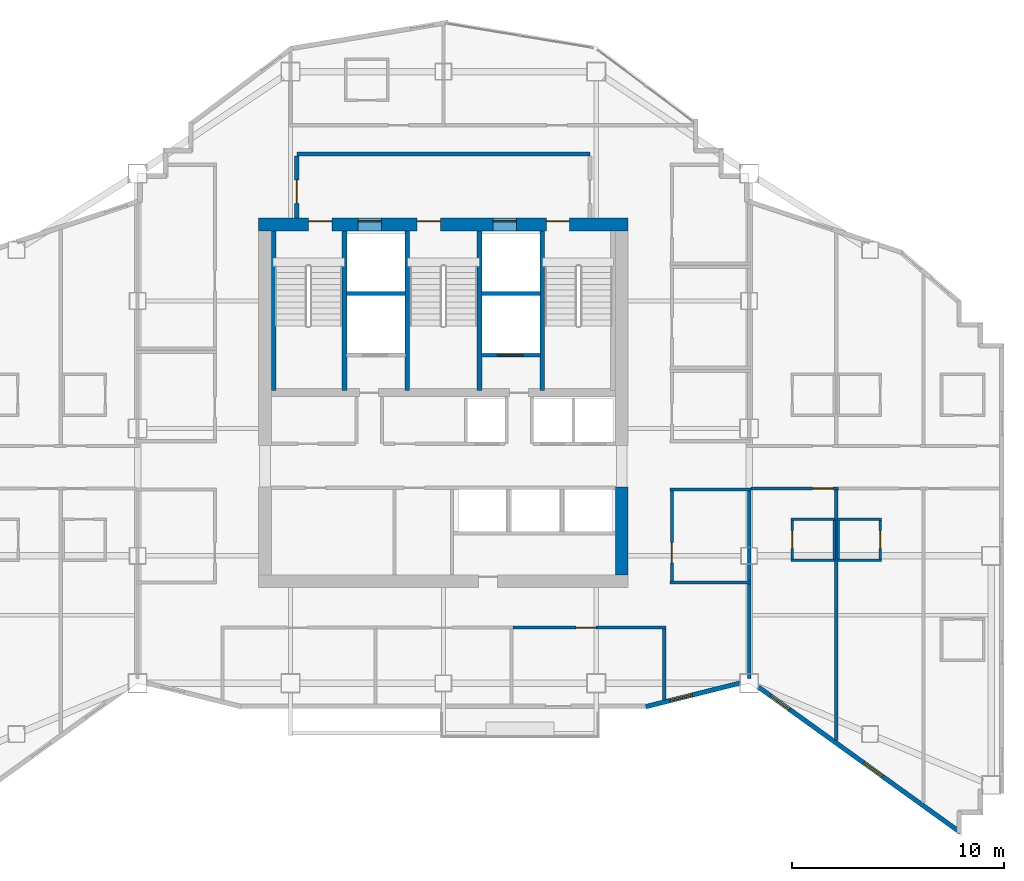
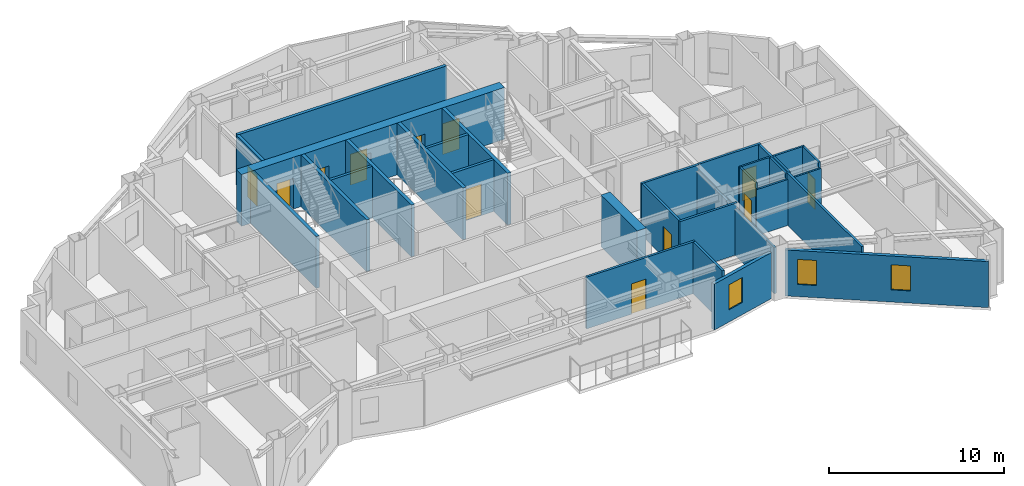
# One storey, part 7 of 11: 31 walls, 12 doors, 3 windows, 15 openings.
"""IFC4 building model written with IfcOpenShell, lengths in metres."""

from ifc_helpers import new_model, si_unit, direction, frame, frame_2d, origin, place, context, subcontext, project, spatial, rectangle, extrude, material, layer, layer_set, type_object, element, fill, save


model = new_model("IFC4")

# Units and contexts
model_context = context("Model", 3, precision=1e-05, world=origin(), true_north=direction((0.0, 1.0)))
body_context = subcontext(model_context, "Body", "Model", "MODEL_VIEW")
ifc_project = project(units=[si_unit("LENGTHUNIT", "METRE"), si_unit("AREAUNIT", "SQUARE_METRE"), si_unit("VOLUMEUNIT", "CUBIC_METRE"), si_unit("PLANEANGLEUNIT", "RADIAN"), si_unit("MASSUNIT", "GRAM", prefix="KILO")], contexts=[model_context])

# Site, building, storey
site_placement = place(None, origin())
site = spatial("IfcSite", under=ifc_project, at=site_placement, CompositionType="ELEMENT")
building_placement = place(site_placement, origin())
building = spatial("IfcBuilding", under=site, at=building_placement, Name="Haolan Belvedere Tower", CompositionType="ELEMENT")
storey_placement = place(building_placement, frame((0.0, 0.0, 223.0)))
storey = spatial("IfcBuildingStorey", under=building, at=storey_placement, Name="L56", CompositionType="ELEMENT", Elevation=223.0)

# Wall, openings, doors
ifc_material_1 = material(Name="Concrete C60/75", Category="concrete")
ifc_layer_1 = layer(ifc_material_1, 0.60009765625, Name="Concrete C60/75")
ifc_layer_set_1 = layer_set([ifc_layer_1], Name="Concrete C60/75")
wall_type_1 = type_object("IfcWallType", Name="WL-CORE-600", PredefinedType="SHEAR", material=ifc_layer_set_1)
wall_1_placement = place(storey_placement, frame((29.699951171875, 43.199951171875, 0.0), z_axis=(0.0, 0.0, 1.0), x_axis=(1.0, 0.0, 0.0)))
wall_1 = element("IfcWall", 1, at=wall_1_placement, inside=storey, type_object=wall_type_1, Name="L56 central core north shear wall", PredefinedType="SHEAR", context=body_context, shape_type="SweptSolid", body=[
    extrude(rectangle(XDim=17.400146484375, YDim=0.60009765625, at=frame_2d((8.7001953125, 0.0))), origin(), (0.0, 0.0, 1.0), 3.6201171875),
])
opening_1_placement = place(wall_1_placement, frame((2.35009765625, 0.0, 0.0)))
opening_1 = element("IfcOpeningElement", 2, at=opening_1_placement, cuts=wall_1, Name="Opening FD-03", PredefinedType="OPENING", context=body_context, shape_type="SweptSolid", body=[
    extrude(rectangle(XDim=1.10009765625, YDim=2.14990234375, at=frame_2d((0.550048828125, 1.074951171875))), frame((0.0, 0.31005859375, 0.0), z_axis=(0.0, -1.0, 0.0), x_axis=(1.0, 0.0, 0.0)), (0.0, 0.0, 1.0), 0.6201171875),
])
opening_2_placement = place(wall_1_placement, frame((7.4599609375, 0.0, 0.0)))
opening_2 = element("IfcOpeningElement", 3, at=opening_2_placement, cuts=wall_1, Name="Opening FD-03", PredefinedType="OPENING", context=body_context, shape_type="SweptSolid", body=[
    extrude(rectangle(XDim=1.10009765625, YDim=2.14990234375, at=frame_2d((0.550048828125, 1.074951171875))), frame((0.0, 0.31005859375, 0.0), z_axis=(0.0, -1.0, 0.0), x_axis=(1.0, 0.0, 0.0)), (0.0, 0.0, 1.0), 0.6201171875),
])
opening_3_placement = place(wall_1_placement, frame((13.550048828125, 0.0, 0.0)))
opening_3 = element("IfcOpeningElement", 4, at=opening_3_placement, cuts=wall_1, Name="Opening FD-03", PredefinedType="OPENING", context=body_context, shape_type="SweptSolid", body=[
    extrude(rectangle(XDim=1.10009765625, YDim=2.14990234375, at=frame_2d((0.550048828125, 1.074951171875))), frame((0.0, 0.31005859375, 0.0), z_axis=(0.0, -1.0, 0.0), x_axis=(1.0, 0.0, 0.0)), (0.0, 0.0, 1.0), 0.6201171875),
])
opening_4_placement = place(wall_1_placement, frame((4.679931640625, 0.0, 0.0)))
opening_4 = element("IfcOpeningElement", 5, at=opening_4_placement, cuts=wall_1, Name="Opening LD-01", PredefinedType="OPENING", context=body_context, shape_type="SweptSolid", body=[
    extrude(rectangle(XDim=1.10009765625, YDim=2.199951171875, at=frame_2d((0.550048828125, 1.10009765625))), frame((0.0, 0.31005859375, 0.0), z_axis=(0.0, -1.0, 0.0), x_axis=(1.0, 0.0, 0.0)), (0.0, 0.0, 1.0), 0.6201171875),
])
opening_5_placement = place(wall_1_placement, frame((11.0400390625, 0.0, 0.0)))
opening_5 = element("IfcOpeningElement", 6, at=opening_5_placement, cuts=wall_1, Name="Opening LD-01", PredefinedType="OPENING", context=body_context, shape_type="SweptSolid", body=[
    extrude(rectangle(XDim=1.10009765625, YDim=2.199951171875, at=frame_2d((0.550048828125, 1.10009765625))), frame((0.0, 0.31005859375, 0.0), z_axis=(0.0, -1.0, 0.0), x_axis=(1.0, 0.0, 0.0)), (0.0, 0.0, 1.0), 0.6201171875),
])
ifc_material_2 = material(Name="Galvanised fire-rated steel", Category="steel")
door_type_1 = type_object("IfcDoorType", Name="DR-FD90-1100", OperationType="NOTDEFINED", PredefinedType="DOOR", material=ifc_material_2)
door_1_placement = place(opening_1_placement, origin())
door_1 = element("IfcDoor", 7, at=door_1_placement, inside=storey, type_object=door_type_1, Name="L56 door CD-L56-ST1", OperationType="SINGLE_SWING_LEFT", OverallHeight=2.14990234375, OverallWidth=1.10009765625, PredefinedType="DOOR", context=body_context, shape_type="SweptSolid", body=[
    extrude(rectangle(XDim=1.10009765625, YDim=2.14990234375, at=frame_2d((0.550048828125, 1.074951171875))), frame((0.0, 0.18505859375, 0.0), z_axis=(0.0, -1.0, 0.0), x_axis=(1.0, 0.0, 0.0)), (0.0, 0.0, 1.0), 0.050048828125),
])
fill(opening_1, door_1)
door_2_placement = place(opening_2_placement, origin())
door_2 = element("IfcDoor", 8, at=door_2_placement, inside=storey, type_object=door_type_1, Name="L56 door CD-L56-ST3", OperationType="SINGLE_SWING_LEFT", OverallHeight=2.14990234375, OverallWidth=1.10009765625, PredefinedType="DOOR", context=body_context, shape_type="SweptSolid", body=[
    extrude(rectangle(XDim=1.10009765625, YDim=2.14990234375, at=frame_2d((0.550048828125, 1.074951171875))), frame((0.0, 0.18505859375, 0.0), z_axis=(0.0, -1.0, 0.0), x_axis=(1.0, 0.0, 0.0)), (0.0, 0.0, 1.0), 0.050048828125),
])
fill(opening_2, door_2)
door_3_placement = place(opening_3_placement, origin())
door_3 = element("IfcDoor", 9, at=door_3_placement, inside=storey, type_object=door_type_1, Name="L56 door CD-L56-ST2", OperationType="SINGLE_SWING_RIGHT", OverallHeight=2.14990234375, OverallWidth=1.10009765625, PredefinedType="DOOR", context=body_context, shape_type="SweptSolid", body=[
    extrude(rectangle(XDim=1.10009765625, YDim=2.14990234375, at=frame_2d((0.550048828125, 1.074951171875))), frame((0.0, 0.18505859375, 0.0), z_axis=(0.0, -1.0, 0.0), x_axis=(1.0, 0.0, 0.0)), (0.0, 0.0, 1.0), 0.050048828125),
])
fill(opening_3, door_3)
ifc_material_3 = material(Name="Brushed champagne stainless steel 316L", Category="steel")
door_type_2 = type_object("IfcDoorType", Name="DR-LIFT-1100", OperationType="SLIDING_TO_LEFT", PredefinedType="DOOR", material=ifc_material_3)
door_4_placement = place(opening_4_placement, origin())
door_4 = element("IfcDoor", 10, at=door_4_placement, inside=storey, type_object=door_type_2, Name="L56 door LD-L56-FF1", OperationType="SLIDING_TO_LEFT", OverallHeight=2.199951171875, OverallWidth=1.10009765625, PredefinedType="DOOR", context=body_context, shape_type="SweptSolid", body=[
    extrude(rectangle(XDim=1.10009765625, YDim=2.199951171875, at=frame_2d((0.550048828125, 1.10009765625))), frame((0.0, 0.18505859375, 0.0), z_axis=(0.0, -1.0, 0.0), x_axis=(1.0, 0.0, 0.0)), (0.0, 0.0, 1.0), 0.050048828125),
])
fill(opening_4, door_4)
door_5_placement = place(opening_5_placement, origin())
door_5 = element("IfcDoor", 11, at=door_5_placement, inside=storey, type_object=door_type_2, Name="L56 door LD-L56-FF2", OperationType="SLIDING_TO_LEFT", OverallHeight=2.199951171875, OverallWidth=1.10009765625, PredefinedType="DOOR", context=body_context, shape_type="SweptSolid", body=[
    extrude(rectangle(XDim=1.10009765625, YDim=2.199951171875, at=frame_2d((0.550048828125, 1.10009765625))), frame((0.0, 0.18505859375, 0.0), z_axis=(0.0, -1.0, 0.0), x_axis=(1.0, 0.0, 0.0)), (0.0, 0.0, 1.0), 0.050048828125),
])
fill(opening_5, door_5)

# Wall
wall_2_placement = place(storey_placement, frame((46.800048828125, 26.699951171875, 0.0), z_axis=(0.0, 0.0, 1.0), x_axis=(0.0, 1.0, 0.0)))
element("IfcWall", 12, at=wall_2_placement, inside=storey, type_object=wall_type_1, Name="L56 central core shear wall ES", PredefinedType="SHEAR", context=body_context, shape_type="SweptSolid", body=[
    extrude(rectangle(XDim=4.150146484375, YDim=0.60009765625, at=frame_2d((2.0751953125, 0.0))), origin(), (0.0, 0.0, 1.0), 3.6201171875),
])

# Wall, opening, window
ifc_material_4 = material(Name="Precast concrete C40/50", Category="concrete")
ifc_layer_2 = layer(ifc_material_4, 0.219970703125, Name="Precast concrete C40/50")
ifc_layer_set_2 = layer_set([ifc_layer_2], Name="Precast concrete C40/50")
wall_type_2 = type_object("IfcWallType", Name="WL-EXT-220", PredefinedType="SOLIDWALL", material=ifc_layer_set_2)
wall_3_placement = place(storey_placement, frame((47.93310546875, 20.49658203125, 0.0), z_axis=(0.0, 0.0, 1.0), x_axis=(0.970142500145, 0.242535625036, 0.0)))
wall_3 = element("IfcWall", 13, at=wall_3_placement, inside=storey, type_object=wall_type_2, Name="L56 pale-metal exterior spandrel wall 2.1", PredefinedType="SOLIDWALL", context=body_context, shape_type="SweptSolid", body=[
    extrude(rectangle(XDim=4.56103515625, YDim=0.219970703125, at=frame_2d((2.280517578125, 0.0))), origin(), (0.0, 0.0, 1.0), 3.215087890625),
])
opening_6_placement = place(wall_3_placement, frame((1.154052734375, 0.0, 0.85009765625)))
opening_6 = element("IfcOpeningElement", 14, at=opening_6_placement, cuts=wall_3, Name="Opening W-03", PredefinedType="OPENING", context=body_context, shape_type="SweptSolid", body=[
    extrude(rectangle(XDim=1.10009765625, YDim=1.75, at=frame_2d((0.550048828125, 0.875))), frame((0.0, 0.119873046875, 0.0), z_axis=(0.0, -1.0, 0.0), x_axis=(1.0, 0.0, 0.0)), (0.0, 0.0, 1.0), 0.239990234375),
])
ifc_material_5 = material(Name="Anodised aluminium 6063-T6 and Low-E glass", Category="aluminium")
window_type = type_object("IfcWindowType", Name="WN-DECO-Z3", PartitioningType="SINGLE_PANEL", PredefinedType="WINDOW", material=ifc_material_5)
window_1_placement = place(opening_6_placement, origin())
window_1 = element("IfcWindow", 15, at=window_1_placement, inside=storey, type_object=window_type, Name="L56 Art Deco chevron window 1", OverallHeight=1.75, OverallWidth=1.10009765625, PartitioningType="SINGLE_PANEL", PredefinedType="WINDOW", context=body_context, shape_type="SweptSolid", body=[
    extrude(rectangle(XDim=1.10009765625, YDim=1.75, at=frame_2d((0.550048828125, 0.875))), frame((0.0, 0.030029296875, 0.0), z_axis=(0.0, -1.0, 0.0), x_axis=(1.0, 0.0, 0.0)), (0.0, 0.0, 1.0), 0.06005859375),
])
fill(opening_6, window_1)

# Wall, openings, windows
wall_4_placement = place(storey_placement, frame((53.241943359375, 21.417236328125, 0.0), z_axis=(0.0, 0.0, 1.0), x_axis=(0.811534737332, -0.58430417601, 0.0)))
wall_4 = element("IfcWall", 16, at=wall_4_placement, inside=storey, type_object=wall_type_2, Name="L56 pale-metal exterior spandrel wall 3.1", PredefinedType="SOLIDWALL", context=body_context, shape_type="SweptSolid", body=[
    extrude(rectangle(XDim=11.697265625, YDim=0.219970703125, at=frame_2d((5.8486328125, 0.0))), origin(), (0.0, 0.0, 1.0), 3.215087890625),
])
opening_7_placement = place(wall_4_placement, frame((0.699951171875, 0.0, 0.85009765625)))
opening_7 = element("IfcOpeningElement", 17, at=opening_7_placement, cuts=wall_4, Name="Opening W-03", PredefinedType="OPENING", context=body_context, shape_type="SweptSolid", body=[
    extrude(rectangle(XDim=1.10009765625, YDim=1.75, at=frame_2d((0.550048828125, 0.875))), frame((0.0, 0.119873046875, 0.0), z_axis=(0.0, -1.0, 0.0), x_axis=(1.0, 0.0, 0.0)), (0.0, 0.0, 1.0), 0.239990234375),
])
opening_8_placement = place(wall_4_placement, frame((6.10009765625, 0.0, 0.85009765625)))
opening_8 = element("IfcOpeningElement", 18, at=opening_8_placement, cuts=wall_4, Name="Opening W-03", PredefinedType="OPENING", context=body_context, shape_type="SweptSolid", body=[
    extrude(rectangle(XDim=1.10009765625, YDim=1.75, at=frame_2d((0.550048828125, 0.875))), frame((0.0, 0.119873046875, 0.0), z_axis=(0.0, -1.0, 0.0), x_axis=(1.0, 0.0, 0.0)), (0.0, 0.0, 1.0), 0.239990234375),
])
window_2_placement = place(opening_7_placement, origin())
window_2 = element("IfcWindow", 19, at=window_2_placement, inside=storey, type_object=window_type, Name="L56 Art Deco chevron window 1", OverallHeight=1.75, OverallWidth=1.10009765625, PartitioningType="SINGLE_PANEL", PredefinedType="WINDOW", context=body_context, shape_type="SweptSolid", body=[
    extrude(rectangle(XDim=1.10009765625, YDim=1.75, at=frame_2d((0.550048828125, 0.875))), frame((0.0, 0.030029296875, 0.0), z_axis=(0.0, -1.0, 0.0), x_axis=(1.0, 0.0, 0.0)), (0.0, 0.0, 1.0), 0.06005859375),
])
fill(opening_7, window_2)
window_3_placement = place(opening_8_placement, origin())
window_3 = element("IfcWindow", 20, at=window_3_placement, inside=storey, type_object=window_type, Name="L56 Art Deco chevron window 2", OverallHeight=1.75, OverallWidth=1.10009765625, PartitioningType="SINGLE_PANEL", PredefinedType="WINDOW", context=body_context, shape_type="SweptSolid", body=[
    extrude(rectangle(XDim=1.10009765625, YDim=1.75, at=frame_2d((0.550048828125, 0.875))), frame((0.0, 0.030029296875, 0.0), z_axis=(0.0, -1.0, 0.0), x_axis=(1.0, 0.0, 0.0)), (0.0, 0.0, 1.0), 0.06005859375),
])
fill(opening_8, window_3)

# Wall
ifc_material_6 = material(Name="Concrete C40/50", Category="concrete")
ifc_layer_3 = layer(ifc_material_6, 0.199951171875, Name="Concrete C40/50")
ifc_layer_set_3 = layer_set([ifc_layer_3], Name="Concrete C40/50")
wall_type_3 = type_object("IfcWallType", Name="WL-FIRE-200", PredefinedType="SOLIDWALL", material=ifc_layer_set_3)
wall_5_placement = place(storey_placement, frame((31.5, 46.52001953125, 0.0), z_axis=(0.0, 0.0, 1.0), x_axis=(1.0, 0.0, 0.0)))
element("IfcWall", 21, at=wall_5_placement, inside=storey, type_object=wall_type_3, Name="L56 interior partition IW-L56-FFL-N", PredefinedType="SOLIDWALL", context=body_context, shape_type="SweptSolid", body=[
    extrude(rectangle(XDim=13.800048828125, YDim=0.199951171875, at=frame_2d((6.89990234375, 0.0))), origin(), (0.0, 0.0, 1.0), 3.6201171875),
])

# Wall, opening, door
wall_6_placement = place(storey_placement, frame((31.5, 43.5, 0.0), z_axis=(0.0, 0.0, 1.0), x_axis=(0.0, 1.0, 0.0)))
wall_6 = element("IfcWall", 22, at=wall_6_placement, inside=storey, type_object=wall_type_3, Name="L56 interior partition IW-L56-FFL-W", PredefinedType="SOLIDWALL", context=body_context, shape_type="SweptSolid", body=[
    extrude(rectangle(XDim=2.93505859375, YDim=0.199951171875, at=frame_2d((1.467529296875, 0.0))), origin(), (0.0, 0.0, 1.0), 3.6201171875),
])
opening_9_placement = place(wall_6_placement, frame((1.800048828125, 0.0, 0.0), z_axis=(0.0, 0.0, 1.0), x_axis=(-1.0, 0.0, 0.0)))
opening_9 = element("IfcOpeningElement", 23, at=opening_9_placement, cuts=wall_6, Name="Opening FD-03", PredefinedType="OPENING", context=body_context, shape_type="SweptSolid", body=[
    extrude(rectangle(XDim=1.10009765625, YDim=2.14990234375, at=frame_2d((0.550048828125, 1.074951171875))), frame((0.0, 0.10986328125, 0.0), z_axis=(0.0, -1.0, 0.0), x_axis=(1.0, 0.0, 0.0)), (0.0, 0.0, 1.0), 0.219970703125),
])
door_6_placement = place(opening_9_placement, origin())
door_6 = element("IfcDoor", 24, at=door_6_placement, inside=storey, type_object=door_type_1, Name="L56 door ID-L56-FFL-DW", OperationType="SINGLE_SWING_LEFT", OverallHeight=2.14990234375, OverallWidth=1.10009765625, PredefinedType="DOOR", context=body_context, shape_type="SweptSolid", body=[
    extrude(rectangle(XDim=1.10009765625, YDim=2.14990234375, at=frame_2d((0.550048828125, 1.074951171875))), frame((0.0, 0.02490234375, 0.0), z_axis=(0.0, -1.0, 0.0), x_axis=(1.0, 0.0, 0.0)), (0.0, 0.0, 1.0), 0.050048828125),
])
fill(opening_9, door_6)

# Walls
ifc_material_7 = material(Name="Double gypsum acoustic stud partition", Category="masonry")
ifc_layer_4 = layer(ifc_material_7, 0.14990234375, Name="Double gypsum acoustic stud partition")
ifc_layer_set_4 = layer_set([ifc_layer_4], Name="Double gypsum acoustic stud partition")
wall_type_4 = type_object("IfcWallType", Name="WL-PART-150", PredefinedType="PARTITIONING", material=ifc_layer_set_4)
for number, where, z_axis, x_axis, name in (
    (25, (49.080078125, 30.72998046875, 0.0), (0.0, 0.0, 1.0), (1.0, 0.0, 0.0), "L56 interior partition IW-L56-PKTE-N"),
    (26, (49.080078125, 26.35009765625, 0.0), (0.0, 0.0, 1.0), (1.0, 0.0, 0.0), "L56 interior partition IW-L56-PKTE-S"),
):
    element("IfcWall", number, at=place(storey_placement, frame(where, z_axis=z_axis, x_axis=x_axis)), inside=storey, type_object=wall_type_4, Name=name, PredefinedType="PARTITIONING", context=body_context, shape_type="SweptSolid", body=[
        extrude(rectangle(XDim=3.7998046875, YDim=0.14990234375, at=frame_2d((1.89990234375, 0.0))), origin(), (0.0, 0.0, 1.0), 3.6201171875),
    ])

# Wall, opening, door
wall_7_placement = place(storey_placement, frame((49.159912109375, 26.409912109375, 0.0), z_axis=(0.0, 0.0, 1.0), x_axis=(0.0, 1.0, 0.0)))
wall_7 = element("IfcWall", 27, at=wall_7_placement, inside=storey, type_object=wall_type_4, Name="L56 interior partition IW-L56-PKTE-W", PredefinedType="PARTITIONING", context=body_context, shape_type="SweptSolid", body=[
    extrude(rectangle(XDim=4.260009765625, YDim=0.14990234375, at=frame_2d((2.1298828125, 0.0))), origin(), (0.0, 0.0, 1.0), 3.6201171875),
])
opening_10_placement = place(wall_7_placement, frame((0.860107421875, 0.0, 0.0)))
opening_10 = element("IfcOpeningElement", 28, at=opening_10_placement, cuts=wall_7, Name="Opening ID-03", PredefinedType="OPENING", context=body_context, shape_type="SweptSolid", body=[
    extrude(rectangle(XDim=0.949951171875, YDim=2.1201171875, at=frame_2d((0.47509765625, 1.06005859375))), frame((0.0, 0.0849609375, 0.0), z_axis=(0.0, -1.0, 0.0), x_axis=(1.0, 0.0, 0.0)), (0.0, 0.0, 1.0), 0.169921875),
])
ifc_material_8 = material(Name="Painted solid-core timber", Category="wood")
door_type_3 = type_object("IfcDoorType", Name="DR-INT-950", OperationType="NOTDEFINED", PredefinedType="DOOR", material=ifc_material_8)
door_7_placement = place(opening_10_placement, origin())
door_7 = element("IfcDoor", 29, at=door_7_placement, inside=storey, type_object=door_type_3, Name="L56 door ID-L56-PKTE", OperationType="SINGLE_SWING_RIGHT", OverallHeight=2.1201171875, OverallWidth=0.949951171875, PredefinedType="DOOR", context=body_context, shape_type="SweptSolid", body=[
    extrude(rectangle(XDim=0.949951171875, YDim=2.1201171875, at=frame_2d((0.47509765625, 1.06005859375))), frame((0.0, 0.02490234375, 0.0), z_axis=(0.0, -1.0, 0.0), x_axis=(1.0, 0.0, 0.0)), (0.0, 0.0, 1.0), 0.050048828125),
])
fill(opening_10, door_7)

# Wall
wall_8_placement = place(storey_placement, frame((52.800048828125, 26.409912109375, 0.0), z_axis=(0.0, 0.0, 1.0), x_axis=(0.0, 1.0, 0.0)))
element("IfcWall", 30, at=wall_8_placement, inside=storey, type_object=wall_type_4, Name="L56 interior partition IW-L56-PKTE-E", PredefinedType="PARTITIONING", context=body_context, shape_type="SweptSolid", body=[
    extrude(rectangle(XDim=4.260009765625, YDim=0.14990234375, at=frame_2d((2.1298828125, 0.0))), origin(), (0.0, 0.0, 1.0), 3.215087890625),
])

# Wall, opening, door
wall_9_placement = place(storey_placement, frame((41.681884765625, 24.219970703125, 0.0), z_axis=(0.0, 0.0, 1.0), x_axis=(1.0, 0.0, 0.0)))
wall_9 = element("IfcWall", 31, at=wall_9_placement, inside=storey, type_object=wall_type_4, Name="L56 interior partition IW-L56-KS4-N", PredefinedType="PARTITIONING", context=body_context, shape_type="SweptSolid", body=[
    extrude(rectangle(XDim=7.197998046875, YDim=0.14990234375, at=frame_2d((3.59912109375, 0.0))), origin(), (0.0, 0.0, 1.0), 3.6201171875),
])
opening_11_placement = place(wall_9_placement, frame((3.912841796875, 0.0, 0.0), z_axis=(0.0, 0.0, 1.0), x_axis=(-1.0, 0.0, 0.0)))
opening_11 = element("IfcOpeningElement", 32, at=opening_11_placement, cuts=wall_9, Name="Opening ID-03", PredefinedType="OPENING", context=body_context, shape_type="SweptSolid", body=[
    extrude(rectangle(XDim=0.949951171875, YDim=2.1201171875, at=frame_2d((0.47509765625, 1.06005859375))), frame((0.0, 0.0849609375, 0.0), z_axis=(0.0, -1.0, 0.0), x_axis=(1.0, 0.0, 0.0)), (0.0, 0.0, 1.0), 0.169921875),
])
door_8_placement = place(opening_11_placement, origin())
door_8 = element("IfcDoor", 33, at=door_8_placement, inside=storey, type_object=door_type_3, Name="L56 door ID-L56-KS4", OperationType="SINGLE_SWING_LEFT", OverallHeight=2.1201171875, OverallWidth=0.949951171875, PredefinedType="DOOR", context=body_context, shape_type="SweptSolid", body=[
    extrude(rectangle(XDim=0.949951171875, YDim=2.1201171875, at=frame_2d((0.47509765625, 1.06005859375))), frame((0.0, 0.02490234375, 0.0), z_axis=(0.0, -1.0, 0.0), x_axis=(1.0, 0.0, 0.0)), (0.0, 0.0, 1.0), 0.050048828125),
])
fill(opening_11, door_8)

# Wall
wall_10_placement = place(storey_placement, frame((48.800048828125, 20.818603515625, 0.0), z_axis=(0.0, 0.0, 1.0), x_axis=(0.0, 1.0, 0.0)))
element("IfcWall", 34, at=wall_10_placement, inside=storey, type_object=wall_type_4, Name="L56 interior partition IW-L56-KS4-E", PredefinedType="PARTITIONING", context=body_context, shape_type="SweptSolid", body=[
    extrude(rectangle(XDim=3.34130859375, YDim=0.14990234375, at=frame_2d((1.670654296875, 0.0))), origin(), (0.0, 0.0, 1.0), 3.6201171875),
])

# Wall, opening, door
wall_11_placement = place(storey_placement, frame((52.882080078125, 30.77001953125, 0.0), z_axis=(0.0, 0.0, 1.0), x_axis=(1.0, 0.0, 0.0)))
wall_11 = element("IfcWall", 35, at=wall_11_placement, inside=storey, type_object=wall_type_4, Name="L56 interior partition IW-L56-T4S1-N", PredefinedType="PARTITIONING", context=body_context, shape_type="SweptSolid", body=[
    extrude(rectangle(XDim=4.117919921875, YDim=0.14990234375, at=frame_2d((2.05908203125, 0.0))), origin(), (0.0, 0.0, 1.0), 3.6201171875),
])
opening_12_placement = place(wall_11_placement, frame((3.856201171875, 0.0, 0.0), z_axis=(0.0, 0.0, 1.0), x_axis=(-1.0, 0.0, 0.0)))
opening_12 = element("IfcOpeningElement", 36, at=opening_12_placement, cuts=wall_11, Name="Opening ID-02", PredefinedType="OPENING", context=body_context, shape_type="SweptSolid", body=[
    extrude(rectangle(XDim=0.949951171875, YDim=2.14990234375, at=frame_2d((0.47509765625, 1.074951171875))), frame((0.0, 0.0849609375, 0.0), z_axis=(0.0, -1.0, 0.0), x_axis=(1.0, 0.0, 0.0)), (0.0, 0.0, 1.0), 0.169921875),
])
ifc_material_9 = material(Name="Acoustic oak veneer fire-rated timber", Category="wood")
door_type_4 = type_object("IfcDoorType", Name="DR-GUEST-950", OperationType="NOTDEFINED", PredefinedType="DOOR", material=ifc_material_9)
door_9_placement = place(opening_12_placement, origin())
door_9 = element("IfcDoor", 37, at=door_9_placement, inside=storey, type_object=door_type_4, Name="L56 door ID-L56-T4S1-ENT", OperationType="SINGLE_SWING_LEFT", OverallHeight=2.14990234375, OverallWidth=0.949951171875, PredefinedType="DOOR", context=body_context, shape_type="SweptSolid", body=[
    extrude(rectangle(XDim=0.949951171875, YDim=2.14990234375, at=frame_2d((0.47509765625, 1.074951171875))), frame((0.0, 0.02490234375, 0.0), z_axis=(0.0, -1.0, 0.0), x_axis=(1.0, 0.0, 0.0)), (0.0, 0.0, 1.0), 0.050048828125),
])
fill(opening_12, door_9)

# Walls
wall_12_placement = place(storey_placement, frame((52.800048828125, 21.818603515625, 0.0), z_axis=(0.0, 0.0, 1.0), x_axis=(0.0, 1.0, 0.0)))
element("IfcWall", 38, at=wall_12_placement, inside=storey, type_object=wall_type_4, Name="L56 interior partition IW-L56-T4S1-W", PredefinedType="PARTITIONING", context=body_context, shape_type="SweptSolid", body=[
    extrude(rectangle(XDim=4.471435546875, YDim=0.14990234375, at=frame_2d((2.23583984375, 0.0))), origin(), (0.0, 0.0, 1.0), 3.215087890625),
])
wall_13_placement = place(storey_placement, frame((56.89990234375, 18.9091796875, 0.0), z_axis=(0.0, 0.0, 1.0), x_axis=(0.0, 1.0, 0.0)))
element("IfcWall", 39, at=wall_13_placement, inside=storey, type_object=wall_type_4, Name="L56 interior partition IW-L56-T4S1-E", PredefinedType="PARTITIONING", context=body_context, shape_type="SweptSolid", body=[
    extrude(rectangle(XDim=11.80078125, YDim=0.14990234375, at=frame_2d((5.900390625, 0.0))), origin(), (0.0, 0.0, 1.0), 3.6201171875),
])
ifc_layer_5 = layer(ifc_material_4, 0.179931640625, Name="Precast concrete C40/50")
ifc_layer_set_5 = layer_set([ifc_layer_5], Name="Precast concrete C40/50")
wall_type_5 = type_object("IfcWallType", Name="WL-SHAFT-180", PredefinedType="SOLIDWALL", material=ifc_layer_set_5)
for number, where, z_axis, x_axis, name in (
    (40, (33.8349609375, 39.949951171875, 0.0), (0.0, 0.0, 1.0), (1.0, 0.0, 0.0), "L56 interior partition IW-L56-FF1-S"),
    (41, (40.195068359375, 39.949951171875, 0.0), (0.0, 0.0, 1.0), (1.0, 0.0, 0.0), "L56 interior partition IW-L56-FF2-S"),
):
    element("IfcWall", number, at=place(storey_placement, frame(where, z_axis=z_axis, x_axis=x_axis)), inside=storey, type_object=wall_type_5, Name=name, PredefinedType="SOLIDWALL", context=body_context, shape_type="SweptSolid", body=[
        extrude(rectangle(XDim=2.77001953125, YDim=0.179931640625, at=frame_2d((1.385009765625, 0.0))), origin(), (0.0, 0.0, 1.0), 3.6201171875),
    ])

# Wall, opening, door
wall_14_placement = place(storey_placement, frame((40.195068359375, 37.050048828125, 0.0), z_axis=(0.0, 0.0, 1.0), x_axis=(1.0, 0.0, 0.0)))
wall_14 = element("IfcWall", 42, at=wall_14_placement, inside=storey, type_object=wall_type_5, Name="L56 interior partition IW-L56-SV2-S", PredefinedType="SOLIDWALL", context=body_context, shape_type="SweptSolid", body=[
    extrude(rectangle(XDim=2.77001953125, YDim=0.179931640625, at=frame_2d((1.385009765625, 0.0))), origin(), (0.0, 0.0, 1.0), 3.6201171875),
])
opening_13_placement = place(wall_14_placement, frame((1.945068359375, 0.0, 0.0), z_axis=(0.0, 0.0, 1.0), x_axis=(-1.0, 0.0, 0.0)))
opening_13 = element("IfcOpeningElement", 43, at=opening_13_placement, cuts=wall_14, Name="Opening LD-02", PredefinedType="OPENING", context=body_context, shape_type="SweptSolid", body=[
    extrude(rectangle(XDim=1.199951171875, YDim=2.199951171875, at=frame_2d((0.60009765625, 1.10009765625))), frame((0.0, 0.099853515625, 0.0), z_axis=(0.0, -1.0, 0.0), x_axis=(1.0, 0.0, 0.0)), (0.0, 0.0, 1.0), 0.199951171875),
])
door_type_5 = type_object("IfcDoorType", Name="DR-LIFT-1200", OperationType="SLIDING_TO_RIGHT", PredefinedType="DOOR", material=ifc_material_3)
door_10_placement = place(opening_13_placement, origin())
door_10 = element("IfcDoor", 44, at=door_10_placement, inside=storey, type_object=door_type_5, Name="L56 door ID-L56-LD-SV2", OperationType="SLIDING_TO_RIGHT", OverallHeight=2.199951171875, OverallWidth=1.199951171875, PredefinedType="DOOR", context=body_context, shape_type="SweptSolid", body=[
    extrude(rectangle(XDim=1.199951171875, YDim=2.199951171875, at=frame_2d((0.60009765625, 1.10009765625))), frame((0.0, 0.02490234375, 0.0), z_axis=(0.0, -1.0, 0.0), x_axis=(1.0, 0.0, 0.0)), (0.0, 0.0, 1.0), 0.050048828125),
])
fill(opening_13, door_10)

# Walls
ifc_material_10 = material(Name="Concrete C50/60", Category="concrete")
ifc_layer_6 = layer(ifc_material_10, 0.219970703125, Name="Concrete C50/60")
ifc_layer_set_6 = layer_set([ifc_layer_6], Name="Concrete C50/60")
wall_type_6 = type_object("IfcWallType", Name="WL-STAIR-220", PredefinedType="SHEAR", material=ifc_layer_set_6)
for number, where, z_axis, x_axis, name in (
    (45, (30.412109375, 35.389892578125, 0.0), (0.0, 0.0, 1.0), (0.0, 1.0, 0.0), "L56 structural stair core wall ST1W"),
    (46, (33.739990234375, 35.389892578125, 0.0), (0.0, 0.0, 1.0), (0.0, 1.0, 0.0), "L56 structural stair core wall ST1E"),
    (47, (36.699951171875, 35.389892578125, 0.0), (0.0, 0.0, 1.0), (0.0, 1.0, 0.0), "L56 structural stair core wall ST3W"),
    (48, (40.10009765625, 35.389892578125, 0.0), (0.0, 0.0, 1.0), (0.0, 1.0, 0.0), "L56 structural stair core wall ST3E"),
    (49, (43.06005859375, 35.389892578125, 0.0), (0.0, 0.0, 1.0), (0.0, 1.0, 0.0), "L56 structural stair core wall ST2W"),
):
    element("IfcWall", number, at=place(storey_placement, frame(where, z_axis=z_axis, x_axis=x_axis)), inside=storey, type_object=wall_type_6, Name=name, PredefinedType="SHEAR", context=body_context, shape_type="SweptSolid", body=[
        extrude(rectangle(XDim=7.510009765625, YDim=0.219970703125, at=frame_2d((3.7548828125, 0.0))), origin(), (0.0, 0.0, 1.0), 3.6201171875),
    ])
ifc_material_11 = material(Name="Moisture-resistant gypsum tile partition", Category="masonry")
ifc_layer_7 = layer(ifc_material_11, 0.1201171875, Name="Moisture-resistant gypsum tile partition")
ifc_layer_set_7 = layer_set([ifc_layer_7], Name="Moisture-resistant gypsum tile partition")
wall_type_7 = type_object("IfcWallType", Name="WL-WET-120", PredefinedType="PARTITIONING", material=ifc_layer_set_7)
wall_15_placement = place(storey_placement, frame((54.760009765625, 29.320068359375, 0.0), z_axis=(0.0, 0.0, 1.0), x_axis=(1.0, 0.0, 0.0)))
element("IfcWall", 50, at=wall_15_placement, inside=storey, type_object=wall_type_7, Name="L56 interior partition IW-L56-T4S1-BN", PredefinedType="PARTITIONING", context=body_context, shape_type="SweptSolid", body=[
    extrude(rectangle(XDim=2.080078125, YDim=0.1201171875, at=frame_2d((1.0400390625, 0.0))), origin(), (0.0, 0.0, 1.0), 3.6201171875),
])
wall_16_placement = place(storey_placement, frame((54.760009765625, 27.39990234375, 0.0), z_axis=(0.0, 0.0, 1.0), x_axis=(1.0, 0.0, 0.0)))
element("IfcWall", 51, at=wall_16_placement, inside=storey, type_object=wall_type_7, Name="L56 interior partition IW-L56-T4S1-BS", PredefinedType="PARTITIONING", context=body_context, shape_type="SweptSolid", body=[
    extrude(rectangle(XDim=2.080078125, YDim=0.1201171875, at=frame_2d((1.0400390625, 0.0))), origin(), (0.0, 0.0, 1.0), 3.215087890625),
])

# Wall, opening, door
wall_17_placement = place(storey_placement, frame((54.820068359375, 27.445068359375, 0.0), z_axis=(0.0, 0.0, 1.0), x_axis=(0.0, 1.0, 0.0)))
wall_17 = element("IfcWall", 52, at=wall_17_placement, inside=storey, type_object=wall_type_7, Name="L56 interior partition IW-L56-T4S1-BW", PredefinedType="PARTITIONING", context=body_context, shape_type="SweptSolid", body=[
    extrude(rectangle(XDim=1.829833984375, YDim=0.1201171875, at=frame_2d((0.9150390625, 0.0))), origin(), (0.0, 0.0, 1.0), 3.6201171875),
])
opening_14_placement = place(wall_17_placement, frame((1.340087890625, 0.0, 0.0), z_axis=(0.0, 0.0, 1.0), x_axis=(-1.0, 0.0, 0.0)))
opening_14 = element("IfcOpeningElement", 53, at=opening_14_placement, cuts=wall_17, Name="Opening ID-05", PredefinedType="OPENING", context=body_context, shape_type="SweptSolid", body=[
    extrude(rectangle(XDim=0.85009765625, YDim=2.10009765625, at=frame_2d((0.425048828125, 1.050048828125))), frame((0.0, 0.070068359375, 0.0), z_axis=(0.0, -1.0, 0.0), x_axis=(1.0, 0.0, 0.0)), (0.0, 0.0, 1.0), 0.14013671875),
])
ifc_material_12 = material(Name="Moisture-resistant lacquered timber", Category="wood")
door_type_6 = type_object("IfcDoorType", Name="DR-BATH-850", OperationType="NOTDEFINED", PredefinedType="DOOR", material=ifc_material_12)
door_11_placement = place(opening_14_placement, origin())
door_11 = element("IfcDoor", 54, at=door_11_placement, inside=storey, type_object=door_type_6, Name="L56 door ID-L56-T4S1-BATH", OperationType="SINGLE_SWING_RIGHT", OverallHeight=2.10009765625, OverallWidth=0.85009765625, PredefinedType="DOOR", context=body_context, shape_type="SweptSolid", body=[
    extrude(rectangle(XDim=0.85009765625, YDim=2.10009765625, at=frame_2d((0.425048828125, 1.050048828125))), frame((0.0, 0.02490234375, 0.0), z_axis=(0.0, -1.0, 0.0), x_axis=(1.0, 0.0, 0.0)), (0.0, 0.0, 1.0), 0.050048828125),
])
fill(opening_14, door_11)

# Walls
wall_18_placement = place(storey_placement, frame((56.800048828125, 27.445068359375, 0.0), z_axis=(0.0, 0.0, 1.0), x_axis=(0.0, 1.0, 0.0)))
element("IfcWall", 55, at=wall_18_placement, inside=storey, type_object=wall_type_7, Name="L56 interior partition IW-L56-T4S1-BE", PredefinedType="PARTITIONING", context=body_context, shape_type="SweptSolid", body=[
    extrude(rectangle(XDim=1.829833984375, YDim=0.1201171875, at=frame_2d((0.9150390625, 0.0))), origin(), (0.0, 0.0, 1.0), 3.6201171875),
])
wall_19_placement = place(storey_placement, frame((56.9599609375, 29.320068359375, 0.0), z_axis=(0.0, 0.0, 1.0), x_axis=(1.0, 0.0, 0.0)))
element("IfcWall", 56, at=wall_19_placement, inside=storey, type_object=wall_type_7, Name="L56 interior partition IW-L56-T4S2-BN", PredefinedType="PARTITIONING", context=body_context, shape_type="SweptSolid", body=[
    extrude(rectangle(XDim=2.080078125, YDim=0.1201171875, at=frame_2d((1.0400390625, 0.0))), origin(), (0.0, 0.0, 1.0), 3.6201171875),
])
wall_20_placement = place(storey_placement, frame((56.9599609375, 27.39990234375, 0.0), z_axis=(0.0, 0.0, 1.0), x_axis=(1.0, 0.0, 0.0)))
element("IfcWall", 57, at=wall_20_placement, inside=storey, type_object=wall_type_7, Name="L56 interior partition IW-L56-T4S2-BS", PredefinedType="PARTITIONING", context=body_context, shape_type="SweptSolid", body=[
    extrude(rectangle(XDim=2.080078125, YDim=0.1201171875, at=frame_2d((1.0400390625, 0.0))), origin(), (0.0, 0.0, 1.0), 3.215087890625),
])
wall_21_placement = place(storey_placement, frame((57.0, 27.445068359375, 0.0), z_axis=(0.0, 0.0, 1.0), x_axis=(0.0, 1.0, 0.0)))
element("IfcWall", 58, at=wall_21_placement, inside=storey, type_object=wall_type_7, Name="L56 interior partition IW-L56-T4S2-BW", PredefinedType="PARTITIONING", context=body_context, shape_type="SweptSolid", body=[
    extrude(rectangle(XDim=1.829833984375, YDim=0.1201171875, at=frame_2d((0.9150390625, 0.0))), origin(), (0.0, 0.0, 1.0), 3.6201171875),
])

# Wall, opening, door
wall_22_placement = place(storey_placement, frame((58.97998046875, 27.445068359375, 0.0), z_axis=(0.0, 0.0, 1.0), x_axis=(0.0, 1.0, 0.0)))
wall_22 = element("IfcWall", 59, at=wall_22_placement, inside=storey, type_object=wall_type_7, Name="L56 interior partition IW-L56-T4S2-BE", PredefinedType="PARTITIONING", context=body_context, shape_type="SweptSolid", body=[
    extrude(rectangle(XDim=1.829833984375, YDim=0.1201171875, at=frame_2d((0.9150390625, 0.0))), origin(), (0.0, 0.0, 1.0), 3.6201171875),
])
opening_15_placement = place(wall_22_placement, frame((0.489990234375, 0.0, 0.0)))
opening_15 = element("IfcOpeningElement", 60, at=opening_15_placement, cuts=wall_22, Name="Opening ID-05", PredefinedType="OPENING", context=body_context, shape_type="SweptSolid", body=[
    extrude(rectangle(XDim=0.85009765625, YDim=2.10009765625, at=frame_2d((0.425048828125, 1.050048828125))), frame((0.0, 0.070068359375, 0.0), z_axis=(0.0, -1.0, 0.0), x_axis=(1.0, 0.0, 0.0)), (0.0, 0.0, 1.0), 0.14013671875),
])
door_12_placement = place(opening_15_placement, origin())
door_12 = element("IfcDoor", 61, at=door_12_placement, inside=storey, type_object=door_type_6, Name="L56 door ID-L56-T4S2-BATH", OperationType="SINGLE_SWING_LEFT", OverallHeight=2.10009765625, OverallWidth=0.85009765625, PredefinedType="DOOR", context=body_context, shape_type="SweptSolid", body=[
    extrude(rectangle(XDim=0.85009765625, YDim=2.10009765625, at=frame_2d((0.425048828125, 1.050048828125))), frame((0.0, 0.02490234375, 0.0), z_axis=(0.0, -1.0, 0.0), x_axis=(1.0, 0.0, 0.0)), (0.0, 0.0, 1.0), 0.050048828125),
])
fill(opening_15, door_12)

save(model, "model.ifc")
